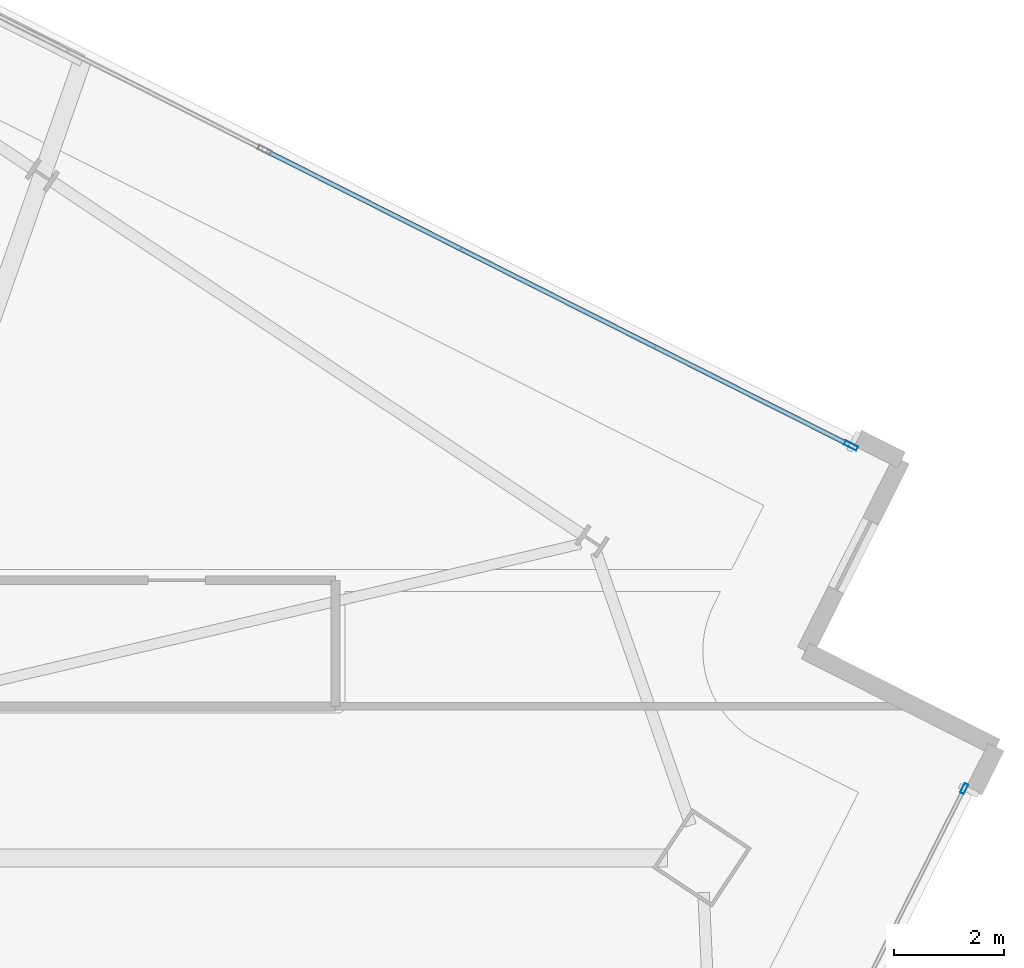
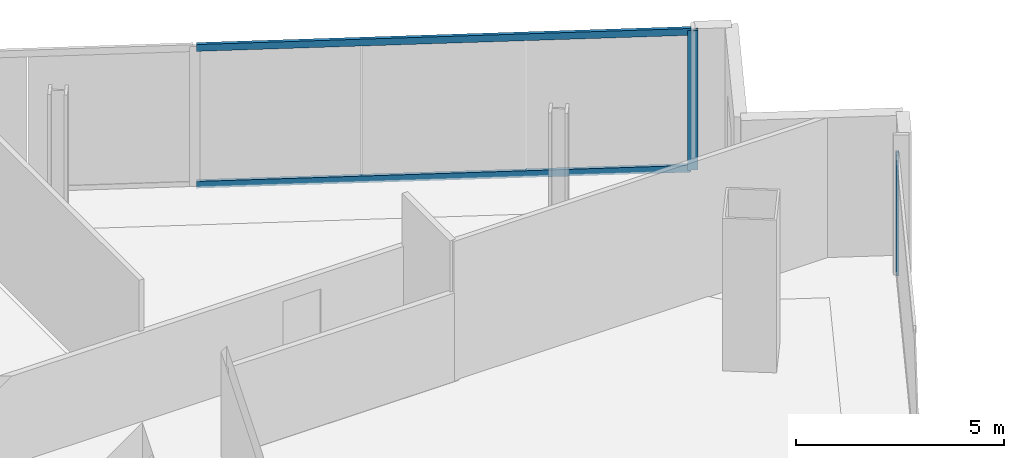
# One storey, part 17 of 27: 4 members, 2 elements without a shape of their own.
"""IFC4 building model written with IfcOpenShell, lengths in metres."""

from ifc_helpers import new_model, si_unit, direction, frame, origin, origin_2d, place, context, subcontext, project, spatial, hollow_rectangle, extrude, material, material_profile, profile_set, type_object, element, aggregate, save


model = new_model("IFC4")

# Units and contexts
model_context = context("Model", 3, precision=1e-05, world=origin(), true_north=direction((0.0, 1.0)))
body_context = subcontext(model_context, "Body", "Model", "MODEL_VIEW")
ifc_project = project(units=[si_unit("LENGTHUNIT", "METRE"), si_unit("AREAUNIT", "SQUARE_METRE"), si_unit("VOLUMEUNIT", "CUBIC_METRE"), si_unit("PLANEANGLEUNIT", "RADIAN"), si_unit("MASSUNIT", "GRAM", prefix="KILO")], contexts=[model_context])

# Site, building, storey
site_placement = place(None, origin())
site = spatial("IfcSite", under=ifc_project, at=site_placement, CompositionType="ELEMENT")
building_placement = place(site_placement, origin())
building = spatial("IfcBuilding", under=site, at=building_placement, Name="Haldenkirk Collegiate Tower", CompositionType="ELEMENT")
storey_placement = place(building_placement, frame((0.0, 0.0, 239.699951171875)))
storey = spatial("IfcBuildingStorey", under=building, at=storey_placement, Name="L60", CompositionType="ELEMENT", Elevation=239.699951171875)

# Curtain wall, member
ifc_material = material(Name="Anodised architectural bronze aluminium", Category="aluminium")
curtain_wall_type_1 = type_object("IfcCurtainWallType", Name="CW-SYS2-CONCAVE", PredefinedType="USERDEFINED", material=ifc_material)
curtain_wall_1_placement = place(storey_placement, origin())
curtain_wall_1 = element("IfcCurtainWall", 1, at=curtain_wall_1_placement, inside=storey, type_object=curtain_wall_type_1, Name="L60 South concave recessed bronze-anodised curtain wall", ObjectType="UNITISED CURTAIN WALL", PredefinedType="USERDEFINED")
ifc_material_profile_1 = material_profile(ifc_material, hollow_rectangle(XDim=0.074951171875, YDim=0.18994140625, WallThickness=0.0048828125, at=origin_2d()), Name="CW-MUL-02")
ifc_profile_set_1 = profile_set([ifc_material_profile_1], Name="Anodised architectural bronze aluminium")
member_type_1 = type_object("IfcMemberType", Name="CW-MUL-02", PredefinedType="MULLION", material=ifc_profile_set_1)
member_1_placement = place(storey_placement, frame((65.2705078125, 32.6494140625, 0.0), z_axis=(0.0, 0.0, 1.0), x_axis=(0.892979715279, -0.450096909675, 0.0)))
member_1 = element("IfcMember", 2, at=member_1_placement, type_object=member_type_1, Name="CW-02 mullion 1", PredefinedType="MULLION", context=body_context, shape_type="SweptSolid", body=[
    extrude(hollow_rectangle(XDim=0.074951171875, YDim=0.18994140625, WallThickness=0.0048828125, at=origin_2d()), origin(), (0.0, 0.0, 1.0), 3.55810546875),
])
aggregate(curtain_wall_1, [member_1])

# Curtain wall, members
curtain_wall_type_2 = type_object("IfcCurtainWallType", Name="CW-SYS1B-CONVEX-HI", PredefinedType="USERDEFINED", material=ifc_material)
curtain_wall_2_placement = place(storey_placement, origin())
curtain_wall_2 = element("IfcCurtainWall", 3, at=curtain_wall_2_placement, inside=storey, type_object=curtain_wall_type_2, Name="L60 Upper tower high-wind convex bronze unitised curtain wall", ObjectType="UNITISED CURTAIN WALL", PredefinedType="USERDEFINED")
ifc_material_profile_2 = material_profile(ifc_material, hollow_rectangle(XDim=0.0849609375, YDim=0.25, WallThickness=0.0048828125, at=origin_2d()), Name="CW-MUL-1B")
ifc_profile_set_2 = profile_set([ifc_material_profile_2], Name="Anodised architectural bronze aluminium")
member_type_2 = type_object("IfcMemberType", Name="CW-MUL-1B", PredefinedType="MULLION", material=ifc_profile_set_2)
member_2_placement = place(storey_placement, frame((63.203369140625, 38.9072265625, 0.0), z_axis=(0.0, 0.0, 1.0), x_axis=(0.450098584579, 0.89297887106, 0.0)))
member_2 = element("IfcMember", 4, at=member_2_placement, type_object=member_type_2, Name="CW-1B mullion 4", PredefinedType="MULLION", context=body_context, shape_type="SweptSolid", body=[
    extrude(hollow_rectangle(XDim=0.0849609375, YDim=0.25, WallThickness=0.0048828125, at=origin_2d()), origin(), (0.0, 0.0, 1.0), 4.10009765625),
])
ifc_material_profile_3 = material_profile(ifc_material, hollow_rectangle(XDim=0.0849609375, YDim=0.199951171875, WallThickness=0.0048828125, at=origin_2d()), Name="CW-TRN-1B")
ifc_profile_set_3 = profile_set([ifc_material_profile_3], Name="Anodised architectural bronze aluminium")
member_type_3 = type_object("IfcMemberType", Name="CW-TRN-1B", PredefinedType="USERDEFINED", material=ifc_profile_set_3)
member_3_placement = place(storey_placement, frame((52.541259765625, 44.281494140625, 0.04248046875), z_axis=(0.892969620495, -0.450116936887, 0.0), x_axis=(0.450116936887, 0.892969620495, 0.0)))
member_3 = element("IfcMember", 5, at=member_3_placement, type_object=member_type_3, Name="CW-1B transom 3.1", ObjectType="TRANSOM", PredefinedType="USERDEFINED", context=body_context, shape_type="SweptSolid", body=[
    extrude(hollow_rectangle(XDim=0.0849609375, YDim=0.199951171875, WallThickness=0.0048828125, at=origin_2d()), origin(), (0.0, 0.0, 1.0), 11.8974609375),
])
member_4_placement = place(storey_placement, frame((52.541259765625, 44.281494140625, 4.0576171875), z_axis=(0.892969620495, -0.450116936887, 0.0), x_axis=(0.450116936887, 0.892969620495, 0.0)))
member_4 = element("IfcMember", 6, at=member_4_placement, type_object=member_type_3, Name="CW-1B transom 3.2", ObjectType="TRANSOM", PredefinedType="USERDEFINED", context=body_context, shape_type="SweptSolid", body=[
    extrude(hollow_rectangle(XDim=0.0849609375, YDim=0.199951171875, WallThickness=0.0048828125, at=origin_2d()), origin(), (0.0, 0.0, 1.0), 11.8974609375),
])
aggregate(curtain_wall_2, [member_2, member_3, member_4])

save(model, "model.ifc")
